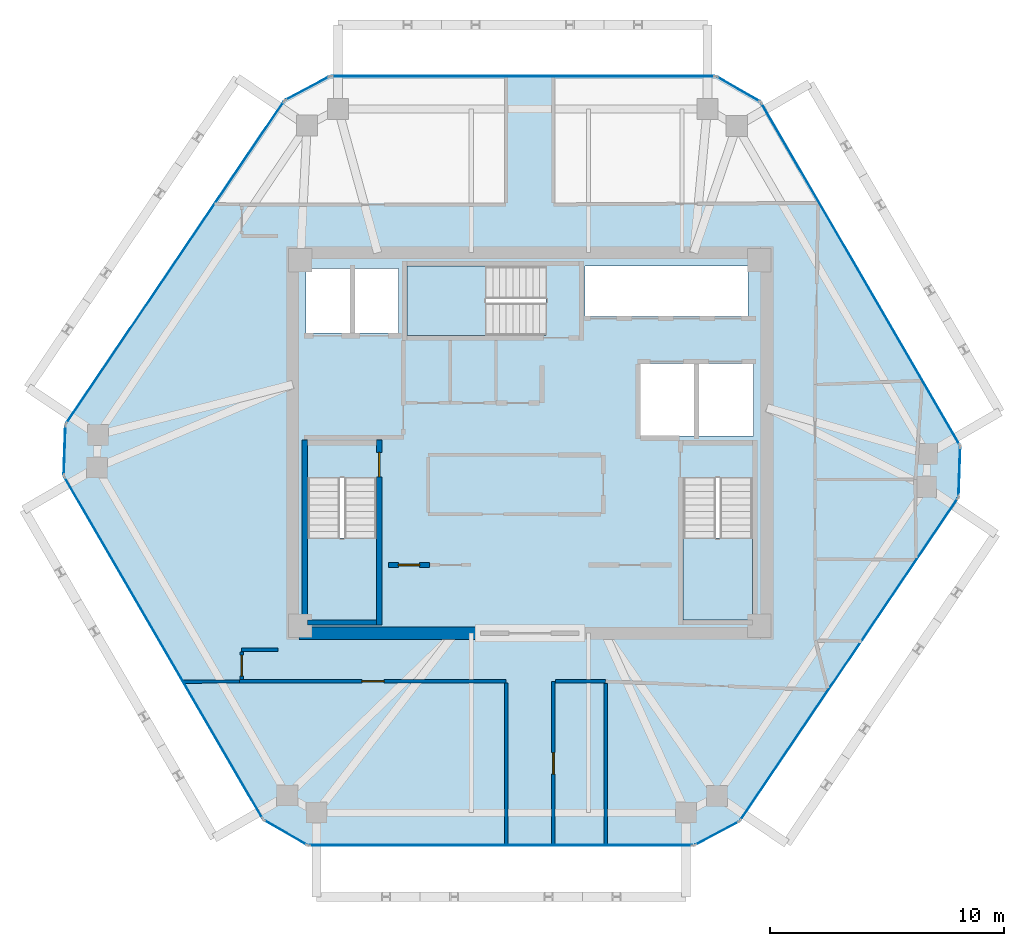
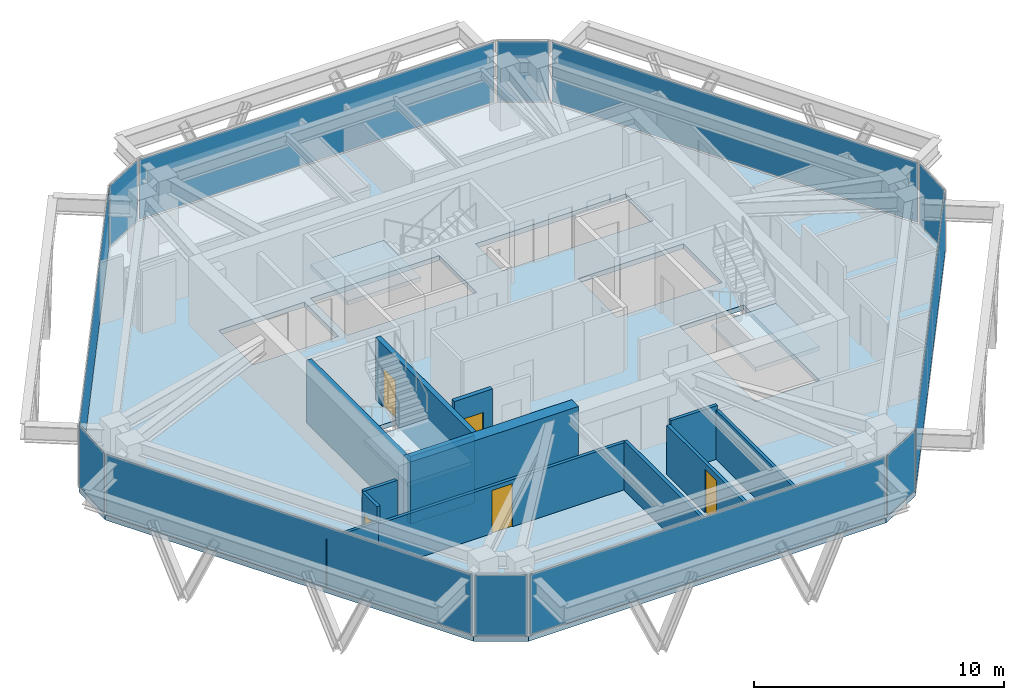
# One storey, part 7 of 11: 13 walls, 12 plates, 5 doors, 4 slabs, 5 openings, 15 elements without a shape of their own.
"""IFC4 building model written with IfcOpenShell, lengths in metres."""

from ifc_helpers import new_model, si_unit, direction, frame, frame_2d, origin, origin_2d, place, context, subcontext, project, spatial, polyline, rectangle, outline, extrude, source, transform, mapped, material, layer, layer_set, type_object, type_shapes, element, fill, aggregate, save


model = new_model("IFC4")

# Units and contexts
model_context = context("Model", 3, precision=1e-05, world=origin(), true_north=direction((0.0, 1.0)))
body_context = subcontext(model_context, "Body", "Model", "MODEL_VIEW")
ifc_project = project(units=[si_unit("LENGTHUNIT", "METRE"), si_unit("AREAUNIT", "SQUARE_METRE"), si_unit("VOLUMEUNIT", "CUBIC_METRE"), si_unit("PLANEANGLEUNIT", "RADIAN"), si_unit("MASSUNIT", "GRAM", prefix="KILO")], contexts=[model_context])

# Site, building, storey
site_placement = place(None, origin())
site = spatial("IfcSite", under=ifc_project, at=site_placement, CompositionType="ELEMENT")
building_placement = place(site_placement, origin())
building = spatial("IfcBuilding", under=site, at=building_placement, Name="Durnholm Broadcast Tower", CompositionType="ELEMENT")
storey_placement = place(building_placement, frame((0.0, 0.0, 218.300048828125)))
storey = spatial("IfcBuildingStorey", under=building, at=storey_placement, Name="L60", CompositionType="ELEMENT", Elevation=218.300048828125)

# Slab
ifc_material_1 = material(Name="Concrete C50/60", Category="concrete")
ifc_layer_1 = layer(ifc_material_1, 0.239990234375)
ifc_layer_set_1 = layer_set([ifc_layer_1], Name="Concrete C50/60")
slab_type_1 = type_object("IfcSlabType", Name="SLAB-FLR-240", PredefinedType="FLOOR", material=ifc_layer_set_1)
slab_1_placement = place(storey_placement, frame((0.0, 0.0, -0.239990234375)))
element("IfcSlab", 1, at=slab_1_placement, inside=storey, type_object=slab_type_1, Name="L60 structural floor slab", PredefinedType="FLOOR", context=body_context, shape_type="SweptSolid", body=[
    extrude(outline(polyline([(-11.384521484375, -16.088134765625), (-9.47802734375, -17.18603515625), (7.012451171875, -17.18603515625), (8.955322265625, -16.154296875), (18.307861328125, -2.3203125), (18.38330078125, -0.12158203125), (9.8603515625, 14.564208984375), (7.9541015625, 15.662109375), (-8.536376953125, 15.662109375), (-10.4794921875, 14.630126953125), (-19.831787109375, 0.79638671875), (-19.9072265625, -1.40234375), (-11.384521484375, -16.088134765625)]), holes=[polyline([(-6.5400390625, -1.5), (-9.5, -1.5), (-9.5, -7.550048828125), (-6.5400390625, -7.550048828125), (-6.5400390625, -1.5)]), polyline([(9.5, -7.550048828125), (9.5, -1.5), (6.5400390625, -1.5), (6.5400390625, -7.550048828125), (9.5, -7.550048828125)]), polyline([(9.550048828125, 3.39990234375), (4.699951171875, 3.39990234375), (4.699951171875, 0.300048828125), (9.550048828125, 0.300048828125), (9.550048828125, 3.39990234375)]), polyline([(-9.550048828125, 7.449951171875), (-9.550048828125, 4.699951171875), (-5.60009765625, 4.699951171875), (-5.60009765625, 7.449951171875), (-9.550048828125, 7.449951171875)]), polyline([(-5.25, 4.60009765625), (0.699951171875, 4.60009765625), (0.699951171875, 7.56005859375), (-5.25, 7.56005859375), (-5.25, 4.60009765625)]), polyline([(9.31005859375, 7.550048828125), (2.35009765625, 7.550048828125), (2.35009765625, 5.39990234375), (9.31005859375, 5.39990234375), (9.31005859375, 7.550048828125)])]), origin(), (0.0, 0.0, 1.0), 0.239990234375),
])

# Stair, slab
stair_type = type_object("IfcStairType", Name="STAIR-DL-20R1650", PredefinedType="HALF_TURN_STAIR", material=ifc_material_1)
stair_1_placement = place(storey_placement, origin())
stair_1 = element("IfcStair", 2, at=stair_1_placement, inside=storey, type_object=stair_type, Name="L60 ST-1", PredefinedType="HALF_TURN_STAIR")
ifc_layer_2 = layer(ifc_material_1, 0.199951171875)
ifc_layer_set_2 = layer_set([ifc_layer_2], Name="Concrete C50/60")
slab_type_2 = type_object("IfcSlabType", Name="SLAB-LND-200", PredefinedType="LANDING", material=ifc_layer_set_2)
slab_2_placement = place(storey_placement, frame((0.0, 0.0, 1.449951171875)))
slab_2 = element("IfcSlab", 3, at=slab_2_placement, type_object=slab_type_2, Name="ST-1 landing 1", PredefinedType="LANDING", context=body_context, shape_type="SweptSolid", body=[
    extrude(outline(polyline([(-9.5, -4.06494140625), (-9.5, -7.550048828125), (-6.5400390625, -7.550048828125), (-6.5400390625, -4.06494140625), (-9.5, -4.06494140625)])), origin(), (0.0, 0.0, 1.0), 0.199951171875),
])
aggregate(stair_1, [slab_2])

stair_2_placement = place(storey_placement, origin())
stair_2 = element("IfcStair", 4, at=stair_2_placement, inside=storey, type_object=stair_type, Name="L60 ST-2", PredefinedType="HALF_TURN_STAIR")
slab_3_placement = place(storey_placement, frame((0.0, 0.0, 1.449951171875)))
slab_3 = element("IfcSlab", 5, at=slab_3_placement, type_object=slab_type_2, Name="ST-2 landing 1", PredefinedType="LANDING", context=body_context, shape_type="SweptSolid", body=[
    extrude(outline(polyline([(6.5400390625, -4.06494140625), (6.5400390625, -7.550048828125), (9.5, -7.550048828125), (9.5, -4.06494140625), (6.5400390625, -4.06494140625)])), origin(), (0.0, 0.0, 1.0), 0.199951171875),
])
aggregate(stair_2, [slab_3])

stair_3_placement = place(storey_placement, origin())
stair_3 = element("IfcStair", 6, at=stair_3_placement, inside=storey, type_object=stair_type, Name="L60 ST-3", PredefinedType="HALF_TURN_STAIR")
slab_4_placement = place(storey_placement, frame((0.0, 0.0, 1.449951171875)))
slab_4 = element("IfcSlab", 7, at=slab_4_placement, type_object=slab_type_2, Name="ST-3 landing 1", PredefinedType="LANDING", context=body_context, shape_type="SweptSolid", body=[
    extrude(outline(polyline([(-1.864990234375, 7.56005859375), (-5.25, 7.56005859375), (-5.25, 4.60009765625), (-1.864990234375, 4.60009765625), (-1.864990234375, 7.56005859375)])), origin(), (0.0, 0.0, 1.0), 0.199951171875),
])
aggregate(stair_3, [slab_4])

# Curtain wall, plate
ifc_material_2 = material(Name="Aluminium and Solar Control IGU", Category="aluminium")
ifc_layer_3 = layer(ifc_material_2, 0.1650390625)
ifc_layer_set_3 = layer_set([ifc_layer_3], Name="Aluminium and Solar Control IGU")
curtain_wall_type_1 = type_object("IfcCurtainWallType", Name="CW-SYS-5", PredefinedType="NOTDEFINED", material=ifc_layer_set_3)
curtain_wall_1_placement = place(storey_placement, origin())
curtain_wall_1 = element("IfcCurtainWall", 8, at=curtain_wall_1_placement, inside=storey, type_object=curtain_wall_type_1, Name="L60 curtain wall CW-CORNER CW-L60-CRN-01", PredefinedType="NOTDEFINED")
ifc_material_3 = material(Name="Low-E Laminated Insulating Glass", Category="glass")
ifc_layer_4 = layer(ifc_material_3, 0.030029296875)
ifc_layer_set_4 = layer_set([ifc_layer_4], Name="Low-E Laminated Insulating Glass")
plate_type_1 = type_object("IfcPlateType", Name="CW-SYS-5-PNL", PredefinedType="CURTAIN_PANEL", material=ifc_layer_set_4)
shared_shape_1 = source(origin(), body_context, "Body", "SweptSolid", [
    extrude(rectangle(XDim=2.070068359375, YDim=0.030029296875, at=origin_2d()), origin(), (0.0, 0.0, 1.0), 2.929931640625),
])
plate_1_placement = place(storey_placement, frame((-19.86962890625, -0.302978515625, 0.06494140625), z_axis=(0.0, 0.0, 1.0), x_axis=(0.034318245849, 0.999410955514, 0.0)))
plate_1 = element("IfcPlate", 9, at=plate_1_placement, type_object=plate_type_1, Name="CW-CORNER panel 1.1", PredefinedType="CURTAIN_PANEL", context=body_context, shape_type="MappedRepresentation", body=[
    mapped(shared_shape_1, transform((0.0, 0.0, 0.0), x_axis=(1.0, 0.0, 0.0), y_axis=(0.0, 1.0, 0.0), z_axis=(0.0, 0.0, 1.0), scale=1.0)),
])
aggregate(curtain_wall_1, [plate_1])

curtain_wall_2_placement = place(storey_placement, origin())
curtain_wall_2 = element("IfcCurtainWall", 10, at=curtain_wall_2_placement, inside=storey, type_object=curtain_wall_type_1, Name="L60 curtain wall CW-CORNER CW-L60-CRN-03", PredefinedType="NOTDEFINED")
plate_2_placement = place(storey_placement, frame((-9.5078125, 15.14599609375, 0.06494140625), z_axis=(0.0, 0.0, 1.0), x_axis=(0.883194569853, 0.469006771575, 0.0)))
plate_2 = element("IfcPlate", 11, at=plate_2_placement, type_object=plate_type_1, Name="CW-CORNER panel 1.1", PredefinedType="CURTAIN_PANEL", context=body_context, shape_type="MappedRepresentation", body=[
    mapped(shared_shape_1, transform((0.0, 0.0, 0.0), x_axis=(1.0, 0.0, 0.0), y_axis=(0.0, 1.0, 0.0), z_axis=(0.0, 0.0, 1.0), scale=1.0)),
])
aggregate(curtain_wall_2, [plate_2])

curtain_wall_3_placement = place(storey_placement, origin())
curtain_wall_3 = element("IfcCurtainWall", 12, at=curtain_wall_3_placement, inside=storey, type_object=curtain_wall_type_1, Name="L60 curtain wall CW-CORNER CW-L60-CRN-07", PredefinedType="NOTDEFINED")
plate_3_placement = place(storey_placement, frame((18.345458984375, -1.220947265625, 0.06494140625), z_axis=(0.0, 0.0, 1.0), x_axis=(-0.034318245849, -0.999410955514, 0.0)))
plate_3 = element("IfcPlate", 13, at=plate_3_placement, type_object=plate_type_1, Name="CW-CORNER panel 1.1", PredefinedType="CURTAIN_PANEL", context=body_context, shape_type="MappedRepresentation", body=[
    mapped(shared_shape_1, transform((0.0, 0.0, 0.0), x_axis=(1.0, 0.0, 0.0), y_axis=(0.0, 1.0, 0.0), z_axis=(0.0, 0.0, 1.0), scale=1.0)),
])
aggregate(curtain_wall_3, [plate_3])

curtain_wall_4_placement = place(storey_placement, origin())
curtain_wall_4 = element("IfcCurtainWall", 14, at=curtain_wall_4_placement, inside=storey, type_object=curtain_wall_type_1, Name="L60 curtain wall CW-CORNER CW-L60-CRN-09", PredefinedType="NOTDEFINED")
plate_4_placement = place(storey_placement, frame((7.98388671875, -16.670166015625, 0.06494140625), z_axis=(0.0, 0.0, 1.0), x_axis=(-0.883194569853, -0.469006771575, 0.0)))
plate_4 = element("IfcPlate", 15, at=plate_4_placement, type_object=plate_type_1, Name="CW-CORNER panel 1.1", PredefinedType="CURTAIN_PANEL", context=body_context, shape_type="MappedRepresentation", body=[
    mapped(shared_shape_1, transform((0.0, 0.0, 0.0), x_axis=(1.0, 0.0, 0.0), y_axis=(0.0, 1.0, 0.0), z_axis=(0.0, 0.0, 1.0), scale=1.0)),
])
aggregate(curtain_wall_4, [plate_4])

ifc_layer_5 = layer(ifc_material_2, 0.18994140625)
ifc_layer_set_5 = layer_set([ifc_layer_5], Name="Aluminium and Solar Control IGU")
curtain_wall_type_2 = type_object("IfcCurtainWallType", Name="CW-SYS-4", PredefinedType="NOTDEFINED", material=ifc_layer_set_5)
curtain_wall_5_placement = place(storey_placement, origin())
curtain_wall_5 = element("IfcCurtainWall", 16, at=curtain_wall_5_placement, inside=storey, type_object=curtain_wall_type_2, Name="L60 curtain wall CW-Z34-VIS CW-L60-F02", PredefinedType="NOTDEFINED")
ifc_layer_6 = layer(ifc_material_3, 0.033935546875)
ifc_layer_set_6 = layer_set([ifc_layer_6], Name="Low-E Laminated Insulating Glass")
plate_type_2 = type_object("IfcPlateType", Name="CW-SYS-4-PNL", PredefinedType="CURTAIN_PANEL", material=ifc_layer_set_6)
shared_shape_2 = source(origin(), body_context, "Body", "SweptSolid", [
    extrude(rectangle(XDim=16.55859375, YDim=0.033935546875, at=origin_2d()), origin(), (0.0, 0.0, 1.0), 2.919921875),
])
plate_5_placement = place(storey_placement, frame((-15.155517578125, 7.71337890625, 0.070068359375), z_axis=(0.0, 0.0, 1.0), x_axis=(0.560072745753, 0.828443431662, 0.0)))
plate_5 = element("IfcPlate", 17, at=plate_5_placement, type_object=plate_type_2, Name="CW-Z34-VIS panel 1.1", PredefinedType="CURTAIN_PANEL", context=body_context, shape_type="MappedRepresentation", body=[
    mapped(shared_shape_2, transform((0.0, 0.0, 0.0), x_axis=(1.0, 0.0, 0.0), y_axis=(0.0, 1.0, 0.0), z_axis=(0.0, 0.0, 1.0), scale=1.0)),
])
aggregate(curtain_wall_5, [plate_5])

curtain_wall_6_placement = place(storey_placement, origin())
curtain_wall_6 = element("IfcCurtainWall", 18, at=curtain_wall_6_placement, inside=storey, type_object=curtain_wall_type_2, Name="L60 curtain wall CW-Z34-VIS CW-L60-F08", PredefinedType="NOTDEFINED")
plate_6_placement = place(storey_placement, frame((13.631591796875, -9.2373046875, 0.070068359375), z_axis=(0.0, 0.0, 1.0), x_axis=(-0.560072745753, -0.828443431662, 0.0)))
plate_6 = element("IfcPlate", 19, at=plate_6_placement, type_object=plate_type_2, Name="CW-Z34-VIS panel 1.1", PredefinedType="CURTAIN_PANEL", context=body_context, shape_type="MappedRepresentation", body=[
    mapped(shared_shape_2, transform((0.0, 0.0, 0.0), x_axis=(1.0, 0.0, 0.0), y_axis=(0.0, 1.0, 0.0), z_axis=(0.0, 0.0, 1.0), scale=1.0)),
])
aggregate(curtain_wall_6, [plate_6])

curtain_wall_7_placement = place(storey_placement, origin())
curtain_wall_7 = element("IfcCurtainWall", 20, at=curtain_wall_7_placement, inside=storey, type_object=curtain_wall_type_2, Name="L60 curtain wall CW-Z34-VIS CW-L60-F04", PredefinedType="NOTDEFINED")
shared_shape_3 = source(origin(), body_context, "Body", "SweptSolid", [
    extrude(rectangle(XDim=16.350341796875, YDim=0.033935546875, at=origin_2d()), origin(), (0.0, 0.0, 1.0), 2.919921875),
])
plate_7_placement = place(storey_placement, frame((-0.291259765625, 15.662109375, 0.070068359375), z_axis=(0.0, 0.0, 1.0), x_axis=(1.0, 0.0, 0.0)))
plate_7 = element("IfcPlate", 21, at=plate_7_placement, type_object=plate_type_2, Name="CW-Z34-VIS panel 1.1", PredefinedType="CURTAIN_PANEL", context=body_context, shape_type="MappedRepresentation", body=[
    mapped(shared_shape_3, transform((0.0, 0.0, 0.0), x_axis=(1.0, 0.0, 0.0), y_axis=(0.0, 1.0, 0.0), z_axis=(0.0, 0.0, 1.0), scale=1.0)),
])
aggregate(curtain_wall_7, [plate_7])

curtain_wall_8_placement = place(storey_placement, origin())
curtain_wall_8 = element("IfcCurtainWall", 22, at=curtain_wall_8_placement, inside=storey, type_object=curtain_wall_type_2, Name="L60 curtain wall CW-Z34-VIS CW-L60-F10", PredefinedType="NOTDEFINED")
plate_8_placement = place(storey_placement, frame((-1.23291015625, -17.18603515625, 0.070068359375), z_axis=(0.0, 0.0, 1.0), x_axis=(-1.0, 0.0, 0.0)))
plate_8 = element("IfcPlate", 23, at=plate_8_placement, type_object=plate_type_2, Name="CW-Z34-VIS panel 1.1", PredefinedType="CURTAIN_PANEL", context=body_context, shape_type="MappedRepresentation", body=[
    mapped(shared_shape_3, transform((0.0, 0.0, 0.0), x_axis=(1.0, 0.0, 0.0), y_axis=(0.0, 1.0, 0.0), z_axis=(0.0, 0.0, 1.0), scale=1.0)),
])
aggregate(curtain_wall_8, [plate_8])

curtain_wall_9_placement = place(storey_placement, origin())
curtain_wall_9 = element("IfcCurtainWall", 24, at=curtain_wall_9_placement, inside=storey, type_object=curtain_wall_type_1, Name="L60 curtain wall CW-CORNER CW-L60-CRN-05", PredefinedType="NOTDEFINED")
shared_shape_4 = source(origin(), body_context, "Body", "SweptSolid", [
    extrude(rectangle(XDim=2.06982421875, YDim=0.030029296875, at=origin_2d()), origin(), (0.0, 0.0, 1.0), 2.929931640625),
])
type_shapes(plate_type_1, [shared_shape_1, shared_shape_4])
plate_9_placement = place(storey_placement, frame((8.9072265625, 15.113037109375, 0.06494140625), z_axis=(0.0, 0.0, 1.0), x_axis=(0.866568249707, -0.499058582333, 0.0)))
plate_9 = element("IfcPlate", 25, at=plate_9_placement, type_object=plate_type_1, Name="CW-CORNER panel 1.1", PredefinedType="CURTAIN_PANEL", context=body_context, shape_type="MappedRepresentation", body=[
    mapped(shared_shape_4, transform((0.0, 0.0, 0.0), x_axis=(1.0, 0.0, 0.0), y_axis=(0.0, 1.0, 0.0), z_axis=(0.0, 0.0, 1.0), scale=1.0)),
])
aggregate(curtain_wall_9, [plate_9])

curtain_wall_10_placement = place(storey_placement, origin())
curtain_wall_10 = element("IfcCurtainWall", 26, at=curtain_wall_10_placement, inside=storey, type_object=curtain_wall_type_1, Name="L60 curtain wall CW-CORNER CW-L60-CRN-11", PredefinedType="NOTDEFINED")
plate_10_placement = place(storey_placement, frame((-10.43115234375, -16.636962890625, 0.06494140625), z_axis=(0.0, 0.0, 1.0), x_axis=(-0.866568249707, 0.499058582333, 0.0)))
plate_10 = element("IfcPlate", 27, at=plate_10_placement, type_object=plate_type_1, Name="CW-CORNER panel 1.1", PredefinedType="CURTAIN_PANEL", context=body_context, shape_type="MappedRepresentation", body=[
    mapped(shared_shape_4, transform((0.0, 0.0, 0.0), x_axis=(1.0, 0.0, 0.0), y_axis=(0.0, 1.0, 0.0), z_axis=(0.0, 0.0, 1.0), scale=1.0)),
])
aggregate(curtain_wall_10, [plate_10])

curtain_wall_11_placement = place(storey_placement, origin())
curtain_wall_11 = element("IfcCurtainWall", 28, at=curtain_wall_11_placement, inside=storey, type_object=curtain_wall_type_2, Name="L60 curtain wall CW-Z34-VIS CW-L60-F06", PredefinedType="NOTDEFINED")
shared_shape_5 = source(origin(), body_context, "Body", "SweptSolid", [
    extrude(rectangle(XDim=16.83984375, YDim=0.033935546875, at=origin_2d()), origin(), (0.0, 0.0, 1.0), 2.919921875),
])
type_shapes(plate_type_2, [shared_shape_2, shared_shape_3, shared_shape_5])
plate_11_placement = place(storey_placement, frame((14.121826171875, 7.22119140625, 0.070068359375), z_axis=(0.0, 0.0, 1.0), x_axis=(0.50194441023, -0.864899883824, 0.0)))
plate_11 = element("IfcPlate", 29, at=plate_11_placement, type_object=plate_type_2, Name="CW-Z34-VIS panel 1.1", PredefinedType="CURTAIN_PANEL", context=body_context, shape_type="MappedRepresentation", body=[
    mapped(shared_shape_5, transform((0.0, 0.0, 0.0), x_axis=(1.0, 0.0, 0.0), y_axis=(0.0, 1.0, 0.0), z_axis=(0.0, 0.0, 1.0), scale=1.0)),
])
aggregate(curtain_wall_11, [plate_11])

curtain_wall_12_placement = place(storey_placement, origin())
curtain_wall_12 = element("IfcCurtainWall", 30, at=curtain_wall_12_placement, inside=storey, type_object=curtain_wall_type_2, Name="L60 curtain wall CW-Z34-VIS CW-L60-F12", PredefinedType="NOTDEFINED")
plate_12_placement = place(storey_placement, frame((-15.645751953125, -8.7451171875, 0.070068359375), z_axis=(0.0, 0.0, 1.0), x_axis=(-0.50194441023, 0.864899883824, 0.0)))
plate_12 = element("IfcPlate", 31, at=plate_12_placement, type_object=plate_type_2, Name="CW-Z34-VIS panel 1.1", PredefinedType="CURTAIN_PANEL", context=body_context, shape_type="MappedRepresentation", body=[
    mapped(shared_shape_5, transform((0.0, 0.0, 0.0), x_axis=(1.0, 0.0, 0.0), y_axis=(0.0, 1.0, 0.0), z_axis=(0.0, 0.0, 1.0), scale=1.0)),
])
aggregate(curtain_wall_12, [plate_12])

# Wall
ifc_material_4 = material(Name="Concrete C70/85", Category="concrete")
ifc_layer_7 = layer(ifc_material_4, 0.550048828125)
ifc_layer_set_7 = layer_set([ifc_layer_7], Name="Concrete C70/85")
wall_type_1 = type_object("IfcWallType", Name="WALL-CW-550", PredefinedType="SHEAR", material=ifc_layer_set_7)
wall_1_placement = place(storey_placement, frame((-9.85009765625, -8.125, 0.0), z_axis=(0.0, 0.0, 1.0), x_axis=(1.0, 0.0, 0.0)))
element("IfcWall", 32, at=wall_1_placement, inside=storey, type_object=wall_type_1, Name="L60 central core shear wall CW-S1", PredefinedType="SHEAR", context=body_context, shape_type="SweptSolid", body=[
    extrude(rectangle(XDim=7.75, YDim=0.550048828125, at=frame_2d((3.875, 0.0))), origin(), (0.0, 0.0, 1.0), 3.300048828125),
])

# Wall, opening, door
ifc_material_5 = material(Name="Fire-Rated Gypsum Shaftwall", Category="concrete")
ifc_layer_8 = layer(ifc_material_5, 0.199951171875)
ifc_layer_set_8 = layer_set([ifc_layer_8], Name="Fire-Rated Gypsum Shaftwall")
wall_type_2 = type_object("IfcWallType", Name="WALL-LOB-200", PredefinedType="SOLIDWALL", material=ifc_layer_set_8)
wall_2_placement = place(storey_placement, frame((-6.0400390625, -5.2099609375, 0.0), z_axis=(0.0, 0.0, 1.0), x_axis=(1.0, 0.0, 0.0)))
wall_2 = element("IfcWall", 33, at=wall_2_placement, inside=storey, type_object=wall_type_2, Name="L60 Media Fiber Patch Room corridor partition", PredefinedType="SOLIDWALL", context=body_context, shape_type="SweptSolid", body=[
    extrude(rectangle(XDim=1.760009765625, YDim=0.199951171875, at=frame_2d((0.8798828125, 0.0))), origin(), (0.0, 0.0, 1.0), 3.044921875),
])
opening_1_placement = place(wall_2_placement, frame((0.429931640625, 0.0, 0.0)))
opening_1 = element("IfcOpeningElement", 34, at=opening_1_placement, cuts=wall_2, Name="Opening DC-60L", PredefinedType="OPENING", context=body_context, shape_type="SweptSolid", body=[
    extrude(rectangle(XDim=0.89990234375, YDim=2.050048828125, at=frame_2d((0.449951171875, 1.02490234375))), frame((0.0, 0.10986328125, 0.0), z_axis=(0.0, -1.0, 0.0), x_axis=(1.0, 0.0, 0.0)), (0.0, 0.0, 1.0), 0.219970703125),
])
ifc_material_6 = material(Name="Fire-Rated Core Service Door", Category="steel")
ifc_layer_9 = layer(ifc_material_6, 0.050048828125)
ifc_layer_set_9 = layer_set([ifc_layer_9], Name="Fire-Rated Core Service Door")
door_type_1 = type_object("IfcDoorType", Name="DOOR-CORE-FD60-L", OperationType="NOTDEFINED", PredefinedType="DOOR", material=ifc_layer_set_9)
shared_shape_6 = source(origin(), body_context, "Body", "SweptSolid", [
    extrude(rectangle(XDim=0.89990234375, YDim=2.050048828125, at=frame_2d((0.449951171875, 1.02490234375))), frame((0.0, 0.02490234375, 0.0), z_axis=(0.0, -1.0, 0.0), x_axis=(1.0, 0.0, 0.0)), (0.0, 0.0, 1.0), 0.050048828125),
])
type_shapes(door_type_1, [shared_shape_6])
door_1_placement = place(opening_1_placement, origin())
door_1 = element("IfcDoor", 35, at=door_1_placement, inside=storey, type_object=door_type_1, Name="L60 Media Fiber Patch Room entrance door", OperationType="SINGLE_SWING_LEFT", OverallHeight=2.050048828125, OverallWidth=0.89990234375, PredefinedType="DOOR", context=body_context, shape_type="MappedRepresentation", body=[
    mapped(shared_shape_6, transform((0.0, 0.0, 0.0), x_axis=(1.0, 0.0, 0.0), y_axis=(0.0, 1.0, 0.0), z_axis=(0.0, 0.0, 1.0), scale=1.0)),
])
fill(opening_1, door_1)

# Walls
ifc_material_7 = material(Name="Gypsum Metal Stud Partition", Category="concrete")
ifc_layer_10 = layer(ifc_material_7, 0.135009765625)
ifc_layer_set_10 = layer_set([ifc_layer_10], Name="Gypsum Metal Stud Partition")
wall_type_3 = type_object("IfcWallType", Name="WALL-PART-135", PredefinedType="PARTITIONING", material=ifc_layer_set_10)
wall_3_placement = place(storey_placement, frame((-14.801513671875, -10.199951171875, 0.0), z_axis=(0.0, 0.0, 1.0), x_axis=(0.999968020968, 0.007997314604, 0.0)))
element("IfcWall", 36, at=wall_3_placement, inside=storey, type_object=wall_type_3, Name="L60 room dividing partition 14.17", PredefinedType="PARTITIONING", context=body_context, shape_type="SweptSolid", body=[
    extrude(rectangle(XDim=2.41162109375, YDim=0.135009765625, at=frame_2d((1.205810546875, 0.0))), origin(), (0.0, 0.0, 1.0), 2.398681640625),
])
wall_4_placement = place(storey_placement, frame((3.239990234375, -10.26220703125, 0.0), z_axis=(0.0, 0.0, 1.0), x_axis=(0.0, -1.0, 0.0)))
element("IfcWall", 37, at=wall_4_placement, inside=storey, type_object=wall_type_3, Name="L60 room dividing partition 15.16", PredefinedType="PARTITIONING", context=body_context, shape_type="SweptSolid", body=[
    extrude(rectangle(XDim=6.923828125, YDim=0.135009765625, at=frame_2d((3.4619140625, 0.0))), origin(), (0.0, 0.0, 1.0), 2.398681640625),
])

# Wall, opening, door
ifc_material_8 = material(Name="Acoustic Gypsum Stud Partition", Category="concrete")
ifc_layer_11 = layer(ifc_material_8, 0.14990234375)
ifc_layer_set_11 = layer_set([ifc_layer_11], Name="Acoustic Gypsum Stud Partition")
wall_type_4 = type_object("IfcWallType", Name="WALL-PART-150", PredefinedType="PARTITIONING", material=ifc_layer_set_11)
wall_5_placement = place(storey_placement, frame((-12.389892578125, -10.179931640625, 0.0), z_axis=(0.0, 0.0, 1.0), x_axis=(1.0, 0.0, 0.0)))
wall_5 = element("IfcWall", 38, at=wall_5_placement, inside=storey, type_object=wall_type_4, Name="L60 Diplomatic Dining Room corridor partition", PredefinedType="PARTITIONING", context=body_context, shape_type="SweptSolid", body=[
    extrude(rectangle(XDim=11.3798828125, YDim=0.14990234375, at=frame_2d((5.68994140625, 0.0))), origin(), (0.0, 0.0, 1.0), 2.30126953125),
])
opening_2_placement = place(wall_5_placement, frame((5.215087890625, 0.0, 0.0)))
opening_2 = element("IfcOpeningElement", 39, at=opening_2_placement, cuts=wall_5, Name="Opening DR-95R", PredefinedType="OPENING", context=body_context, shape_type="SweptSolid", body=[
    extrude(rectangle(XDim=0.949951171875, YDim=2.10009765625, at=frame_2d((0.47509765625, 1.050048828125))), frame((0.0, 0.0849609375, 0.0), z_axis=(0.0, -1.0, 0.0), x_axis=(1.0, 0.0, 0.0)), (0.0, 0.0, 1.0), 0.169921875),
])
ifc_material_9 = material(Name="Acoustic Oak Veneer Timber Door", Category="wood")
ifc_layer_12 = layer(ifc_material_9, 0.050048828125)
ifc_layer_set_12 = layer_set([ifc_layer_12], Name="Acoustic Oak Veneer Timber Door")
door_type_2 = type_object("IfcDoorType", Name="DOOR-RM-950R", OperationType="NOTDEFINED", PredefinedType="DOOR", material=ifc_layer_set_12)
shared_shape_7 = source(origin(), body_context, "Body", "SweptSolid", [
    extrude(rectangle(XDim=0.949951171875, YDim=2.10009765625, at=frame_2d((0.47509765625, 1.050048828125))), frame((0.0, 0.02490234375, 0.0), z_axis=(0.0, -1.0, 0.0), x_axis=(1.0, 0.0, 0.0)), (0.0, 0.0, 1.0), 0.050048828125),
])
type_shapes(door_type_2, [shared_shape_7])
door_2_placement = place(opening_2_placement, origin())
door_2 = element("IfcDoor", 40, at=door_2_placement, inside=storey, type_object=door_type_2, Name="L60 Diplomatic Dining Room entrance door", OperationType="SINGLE_SWING_RIGHT", OverallHeight=2.10009765625, OverallWidth=0.949951171875, PredefinedType="DOOR", context=body_context, shape_type="MappedRepresentation", body=[
    mapped(shared_shape_7, transform((0.0, 0.0, 0.0), x_axis=(1.0, 0.0, 0.0), y_axis=(0.0, 1.0, 0.0), z_axis=(0.0, 0.0, 1.0), scale=1.0)),
])
fill(opening_2, door_2)

# Wall
wall_6_placement = place(storey_placement, frame((-1.010009765625, -10.259033203125, 0.0), z_axis=(0.0, 0.0, 1.0), x_axis=(0.0, -1.0, 0.0)))
element("IfcWall", 41, at=wall_6_placement, inside=storey, type_object=wall_type_4, Name="L60 Diplomatic Dining Room corridor partition", PredefinedType="PARTITIONING", context=body_context, shape_type="SweptSolid", body=[
    extrude(rectangle(XDim=6.927001953125, YDim=0.14990234375, at=frame_2d((3.46337890625, 0.0))), origin(), (0.0, 0.0, 1.0), 2.398681640625),
])

# Wall, opening, door
wall_7_placement = place(storey_placement, frame((1.010009765625, -17.18603515625, 0.0), z_axis=(0.0, 0.0, 1.0), x_axis=(0.0, 1.0, 0.0)))
wall_7 = element("IfcWall", 42, at=wall_7_placement, inside=storey, type_object=wall_type_4, Name="L60 Executive Catering Kitchen corridor partition", PredefinedType="PARTITIONING", context=body_context, shape_type="SweptSolid", body=[
    extrude(rectangle(XDim=7.006103515625, YDim=0.14990234375, at=frame_2d((3.5029296875, 0.0))), origin(), (0.0, 0.0, 1.0), 2.398681640625),
])
opening_3_placement = place(wall_7_placement, frame((3.04296875, 0.0, 0.0)))
opening_3 = element("IfcOpeningElement", 43, at=opening_3_placement, cuts=wall_7, Name="Opening DR-92L", PredefinedType="OPENING", context=body_context, shape_type="SweptSolid", body=[
    extrude(rectangle(XDim=0.919921875, YDim=2.10009765625, at=frame_2d((0.4599609375, 1.050048828125))), frame((0.0, 0.0849609375, 0.0), z_axis=(0.0, -1.0, 0.0), x_axis=(1.0, 0.0, 0.0)), (0.0, 0.0, 1.0), 0.169921875),
])
ifc_material_10 = material(Name="Oak Veneer Office Door", Category="wood")
ifc_layer_13 = layer(ifc_material_10, 0.050048828125)
ifc_layer_set_13 = layer_set([ifc_layer_13], Name="Oak Veneer Office Door")
door_type_3 = type_object("IfcDoorType", Name="DOOR-RM-920L", OperationType="NOTDEFINED", PredefinedType="DOOR", material=ifc_layer_set_13)
shared_shape_8 = source(origin(), body_context, "Body", "SweptSolid", [
    extrude(rectangle(XDim=0.919921875, YDim=2.10009765625, at=frame_2d((0.4599609375, 1.050048828125))), frame((0.0, 0.02490234375, 0.0), z_axis=(0.0, -1.0, 0.0), x_axis=(1.0, 0.0, 0.0)), (0.0, 0.0, 1.0), 0.050048828125),
])
type_shapes(door_type_3, [shared_shape_8])
door_3_placement = place(opening_3_placement, origin())
door_3 = element("IfcDoor", 44, at=door_3_placement, inside=storey, type_object=door_type_3, Name="L60 Executive Catering Kitchen entrance door", OperationType="SINGLE_SWING_LEFT", OverallHeight=2.10009765625, OverallWidth=0.919921875, PredefinedType="DOOR", context=body_context, shape_type="MappedRepresentation", body=[
    mapped(shared_shape_8, transform((0.0, 0.0, 0.0), x_axis=(1.0, 0.0, 0.0), y_axis=(0.0, 1.0, 0.0), z_axis=(0.0, 0.0, 1.0), scale=1.0)),
])
fill(opening_3, door_3)

# Walls
wall_8_placement = place(storey_placement, frame((1.089111328125, -10.179931640625, 0.0), z_axis=(0.0, 0.0, 1.0), x_axis=(1.0, 0.0, 0.0)))
element("IfcWall", 45, at=wall_8_placement, inside=storey, type_object=wall_type_4, Name="L60 Executive Catering Kitchen corridor partition", PredefinedType="PARTITIONING", context=body_context, shape_type="SweptSolid", body=[
    extrude(rectangle(XDim=2.15087890625, YDim=0.14990234375, at=frame_2d((1.075439453125, 0.0))), origin(), (0.0, 0.0, 1.0), 2.608154296875),
])
wall_9_placement = place(storey_placement, frame((-10.760009765625, -8.840087890625, 0.0), z_axis=(0.0, 0.0, 1.0), x_axis=(-1.0, 0.0, 0.0)))
element("IfcWall", 46, at=wall_9_placement, inside=storey, type_object=wall_type_4, Name="L60 Presidential Broadcast Hall corridor partition", PredefinedType="PARTITIONING", context=body_context, shape_type="SweptSolid", body=[
    extrude(rectangle(XDim=1.550048828125, YDim=0.14990234375, at=frame_2d((0.77490234375, 0.0))), origin(), (0.0, 0.0, 1.0), 3.044921875),
])

# Wall, opening, door
wall_10_placement = place(storey_placement, frame((-12.31005859375, -8.9189453125, 0.0), z_axis=(0.0, 0.0, 1.0), x_axis=(0.0, -1.0, 0.0)))
wall_10 = element("IfcWall", 47, at=wall_10_placement, inside=storey, type_object=wall_type_4, Name="L60 Presidential Broadcast Hall corridor partition", PredefinedType="PARTITIONING", context=body_context, shape_type="SweptSolid", body=[
    extrude(rectangle(XDim=1.18212890625, YDim=0.14990234375, at=frame_2d((0.591064453125, 0.0))), origin(), (0.0, 0.0, 1.0), 3.044921875),
])
opening_4_placement = place(wall_10_placement, frame((0.14111328125, 0.0, 0.0)))
opening_4 = element("IfcOpeningElement", 48, at=opening_4_placement, cuts=wall_10, Name="Opening DW-90R", PredefinedType="OPENING", context=body_context, shape_type="SweptSolid", body=[
    extrude(rectangle(XDim=0.89990234375, YDim=2.050048828125, at=frame_2d((0.449951171875, 1.02490234375))), frame((0.0, 0.0849609375, 0.0), z_axis=(0.0, -1.0, 0.0), x_axis=(1.0, 0.0, 0.0)), (0.0, 0.0, 1.0), 0.169921875),
])
ifc_material_11 = material(Name="Laminate Restroom Door", Category="steel")
ifc_layer_14 = layer(ifc_material_11, 0.050048828125)
ifc_layer_set_14 = layer_set([ifc_layer_14], Name="Laminate Restroom Door")
door_type_4 = type_object("IfcDoorType", Name="DOOR-WC-900R", OperationType="NOTDEFINED", PredefinedType="DOOR", material=ifc_layer_set_14)
shared_shape_9 = source(origin(), body_context, "Body", "SweptSolid", [
    extrude(rectangle(XDim=0.89990234375, YDim=2.050048828125, at=frame_2d((0.449951171875, 1.02490234375))), frame((0.0, 0.02490234375, 0.0), z_axis=(0.0, -1.0, 0.0), x_axis=(1.0, 0.0, 0.0)), (0.0, 0.0, 1.0), 0.050048828125),
])
type_shapes(door_type_4, [shared_shape_9])
door_4_placement = place(opening_4_placement, origin())
door_4 = element("IfcDoor", 49, at=door_4_placement, inside=storey, type_object=door_type_4, Name="L60 Presidential Broadcast Hall entrance door", OperationType="SINGLE_SWING_RIGHT", OverallHeight=2.050048828125, OverallWidth=0.89990234375, PredefinedType="DOOR", context=body_context, shape_type="MappedRepresentation", body=[
    mapped(shared_shape_9, transform((0.0, 0.0, 0.0), x_axis=(1.0, 0.0, 0.0), y_axis=(0.0, 1.0, 0.0), z_axis=(0.0, 0.0, 1.0), scale=1.0)),
])
fill(opening_4, door_4)

ifc_layer_15 = layer(ifc_material_1, 0.219970703125)
ifc_layer_set_15 = layer_set([ifc_layer_15], Name="Concrete C50/60")
wall_type_5 = type_object("IfcWallType", Name="WALL-SW-220", PredefinedType="SHEAR", material=ifc_layer_set_15)
wall_11_placement = place(storey_placement, frame((-6.429931640625, -7.77001953125, -0.239990234375), z_axis=(0.0, 0.0, 1.0), x_axis=(0.0, 1.0, 0.0)))
wall_11 = element("IfcWall", 50, at=wall_11_placement, inside=storey, type_object=wall_type_5, Name="L60 stair ST-1 structural shaft wall E", PredefinedType="SHEAR", context=body_context, shape_type="SweptSolid", body=[
    extrude(rectangle(XDim=7.89013671875, YDim=0.219970703125, at=frame_2d((3.945068359375, 0.0))), origin(), (0.0, 0.0, 1.0), 3.300048828125),
])
opening_5_placement = place(wall_11_placement, frame((6.320068359375, 0.0, 0.0)))
opening_5 = element("IfcOpeningElement", 51, at=opening_5_placement, cuts=wall_11, Name="Opening DS-90L", PredefinedType="OPENING", context=body_context, shape_type="SweptSolid", body=[
    extrude(rectangle(XDim=1.050048828125, YDim=2.14990234375, at=frame_2d((0.52490234375, 1.074951171875))), frame((0.0, 0.1201171875, 0.0), z_axis=(0.0, -1.0, 0.0), x_axis=(1.0, 0.0, 0.0)), (0.0, 0.0, 1.0), 0.239990234375),
])
ifc_material_12 = material(Name="Fire-Rated Steel Door", Category="steel")
ifc_layer_16 = layer(ifc_material_12, 0.050048828125)
ifc_layer_set_16 = layer_set([ifc_layer_16], Name="Fire-Rated Steel Door")
door_type_5 = type_object("IfcDoorType", Name="DOOR-ST-FD90-L", OperationType="NOTDEFINED", PredefinedType="DOOR", material=ifc_layer_set_16)
shared_shape_10 = source(origin(), body_context, "Body", "SweptSolid", [
    extrude(rectangle(XDim=1.050048828125, YDim=2.14990234375, at=frame_2d((0.52490234375, 1.074951171875))), frame((0.0, 0.02490234375, 0.0), z_axis=(0.0, -1.0, 0.0), x_axis=(1.0, 0.0, 0.0)), (0.0, 0.0, 1.0), 0.050048828125),
])
type_shapes(door_type_5, [shared_shape_10])
door_5_placement = place(opening_5_placement, origin())
door_5 = element("IfcDoor", 52, at=door_5_placement, inside=storey, type_object=door_type_5, Name="L60 exit stair ST-1 fire door", OperationType="SINGLE_SWING_LEFT", OverallHeight=2.14990234375, OverallWidth=1.050048828125, PredefinedType="DOOR", context=body_context, shape_type="MappedRepresentation", body=[
    mapped(shared_shape_10, transform((0.0, 0.0, 0.0), x_axis=(1.0, 0.0, 0.0), y_axis=(0.0, 1.0, 0.0), z_axis=(0.0, 0.0, 1.0), scale=1.0)),
])
fill(opening_5, door_5)

# Walls
wall_12_placement = place(storey_placement, frame((-9.610107421875, 0.1201171875, -0.239990234375), z_axis=(0.0, 0.0, 1.0), x_axis=(0.0, -1.0, 0.0)))
element("IfcWall", 53, at=wall_12_placement, inside=storey, type_object=wall_type_5, Name="L60 stair ST-1 structural shaft wall W", PredefinedType="SHEAR", context=body_context, shape_type="SweptSolid", body=[
    extrude(rectangle(XDim=7.89013671875, YDim=0.219970703125, at=frame_2d((3.945068359375, 0.0))), origin(), (0.0, 0.0, 1.0), 3.300048828125),
])
wall_13_placement = place(storey_placement, frame((-9.5, -7.659912109375, -0.239990234375), z_axis=(0.0, 0.0, 1.0), x_axis=(1.0, 0.0, 0.0)))
element("IfcWall", 54, at=wall_13_placement, inside=storey, type_object=wall_type_5, Name="L60 stair ST-1 structural shaft wall S", PredefinedType="SHEAR", context=body_context, shape_type="SweptSolid", body=[
    extrude(rectangle(XDim=2.9599609375, YDim=0.219970703125, at=frame_2d((1.47998046875, 0.0))), origin(), (0.0, 0.0, 1.0), 3.300048828125),
])

save(model, "model.ifc")
